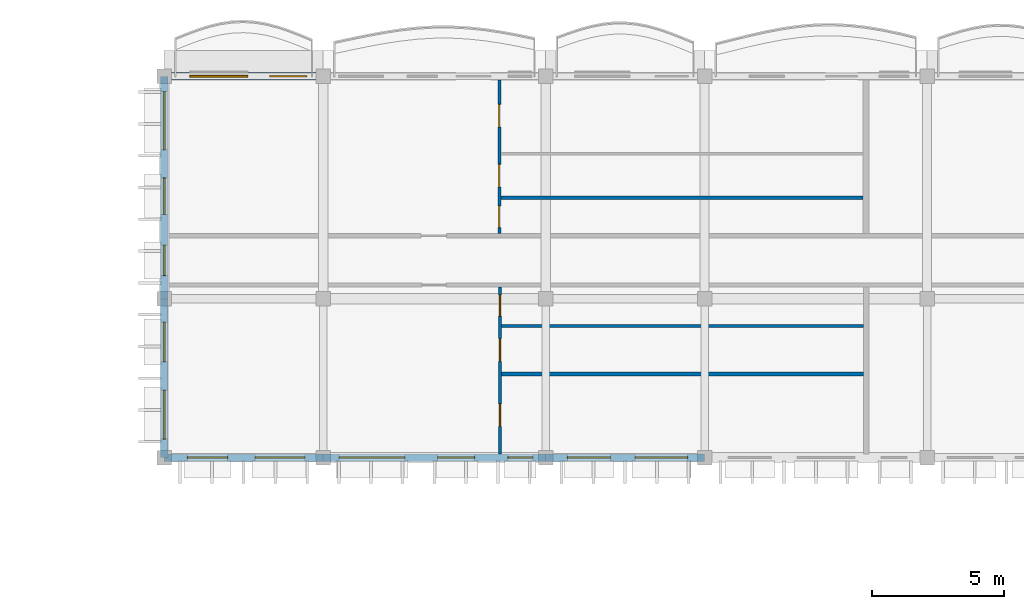
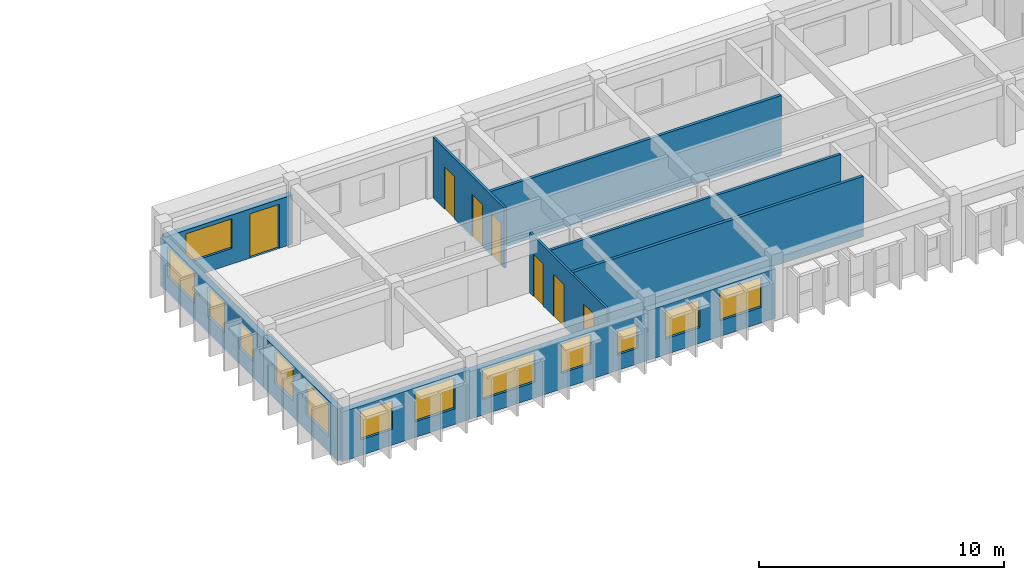
# One storey, part 22 of 59: 13 windows, 11 walls, 7 doors, 20 openings.
"""IFC4 building model written with IfcOpenShell, lengths in metres."""

import ifcopenshell
import ifcopenshell.guid

model = None  # the IFC model being written
_history = None  # IfcOwnerHistory: only IFC2X3 demands one
_inside = {}  # id of a spatial element -> (the spatial element, [elements in it])
_under = {}  # id of a project, library or spatial element -> (it, [spatial elements below it])
_declared = {}  # id of a project -> (the project, [libraries it declares])
_typed = {}  # id of a type object -> (the type object, [elements of that type])
_made_of = {}  # id of a material, layer set ... -> (it, [elements and type objects made of it])


def new_model(schema):
    """Start an empty IFC model of exactly this schema.

    Asked for "IFC4X3", IfcOpenShell would pick the latest addendum, in which some entities
    have other attributes; the version numbers below select the first issue.
    IFC2X3 requires an IfcOwnerHistory on every rooted entity: one is made here for all.
    """
    global model, _history
    if schema == "IFC4X3":
        model = ifcopenshell.file(schema_version=(4, 3, 0, 0))
    else:
        model = ifcopenshell.file(schema=schema)
    _inside.clear()
    _under.clear()
    _declared.clear()
    _typed.clear()
    _made_of.clear()
    _history = None
    if model.schema == "IFC2X3":
        org = make("IfcOrganization", Name="unknown")
        user = make(
            "IfcPersonAndOrganization",
            ThePerson=make("IfcPerson", FamilyName="unknown"),
            TheOrganization=org,
        )
        app = make(
            "IfcApplication",
            ApplicationDeveloper=org,
            Version="unknown",
            ApplicationFullName="unknown",
            ApplicationIdentifier="unknown",
        )
        _history = make(
            "IfcOwnerHistory",
            OwningUser=user,
            OwningApplication=app,
            ChangeAction="ADDED",
            CreationDate=0,
        )
    return model


def make(cls, **values):
    """One entity of the class cls with the attributes given. An attribute that is None is left unset."""
    return model.create_entity(
        cls, **{name: value for name, value in values.items() if value is not None}
    )


def rooted(cls, **values):
    """An entity with a GlobalId (a new one), such as an element, a storey or a relation."""
    return make(cls, GlobalId=ifcopenshell.guid.new(), OwnerHistory=_history, **values)


def si_unit(unit_type, name, prefix=None):
    """IfcSIUnit, for example si_unit("LENGTHUNIT", "METRE", prefix="MILLI")."""
    return make("IfcSIUnit", UnitType=unit_type, Prefix=prefix, Name=name)


def assignment(units):
    """IfcUnitAssignment: the units of a project."""
    return None if units is None else make("IfcUnitAssignment", Units=units)


def point(xyz):
    """IfcCartesianPoint."""
    return None if xyz is None else make("IfcCartesianPoint", Coordinates=xyz)


def direction(xyz):
    """IfcDirection."""
    return None if xyz is None else make("IfcDirection", DirectionRatios=xyz)


def frame(location, z_axis=None, x_axis=None):
    """IfcAxis2Placement3D, a coordinate frame: its origin and axes. An axis left out is left unset."""
    return make(
        "IfcAxis2Placement3D",
        Location=point(location),
        Axis=direction(z_axis),
        RefDirection=direction(x_axis),
    )


def frame_2d(location, x_axis=None):
    """IfcAxis2Placement2D, a coordinate frame in the plane: its origin and x axis."""
    return make(
        "IfcAxis2Placement2D", Location=point(location), RefDirection=direction(x_axis)
    )


def origin():
    """The frame at (0, 0, 0) with its axes left unset."""
    return frame((0.0, 0.0, 0.0))


def place(relative_to, where):
    """IfcLocalPlacement: puts the frame where relative to a parent placement (None: the world)."""
    return make(
        "IfcLocalPlacement", PlacementRelTo=relative_to, RelativePlacement=where
    )


def context(
    kind, dimensions, precision=None, world=None, true_north=None, identifier=None
):
    """IfcGeometricRepresentationContext, for example the 3D "Model" context."""
    return make(
        "IfcGeometricRepresentationContext",
        ContextIdentifier=identifier,
        ContextType=kind,
        CoordinateSpaceDimension=dimensions,
        Precision=precision,
        WorldCoordinateSystem=world,
        TrueNorth=true_north,
    )


def subcontext(parent, identifier, kind, view, scale=None):
    """IfcGeometricRepresentationSubContext, for example "Body" below "Model"."""
    return make(
        "IfcGeometricRepresentationSubContext",
        ContextIdentifier=identifier,
        ContextType=kind,
        ParentContext=parent,
        TargetScale=scale,
        TargetView=view,
    )


def project(units=None, contexts=None):
    """IfcProject with its units and contexts."""
    return rooted(
        "IfcProject",
        Name="project",
        RepresentationContexts=contexts,
        UnitsInContext=assignment(units),
    )


def spatial(cls, under=None, at=None, **own):
    """A site, building, storey or space (cls), placed at a placement, below another one or the project."""
    s = rooted(cls, ObjectPlacement=at, **own)
    if under is not None:
        _under.setdefault(under.id(), (under, []))[1].append(s)
    return s


def profile(cls, at=None, kind="AREA", **sizes):
    """A parametric profile (cls). Its sizes go by their IFC names, for example OverallWidth=200.0."""
    return make(cls, ProfileType=kind, Position=at, **sizes)


def rectangle(**sizes):
    """IfcRectangleProfileDef."""
    return profile("IfcRectangleProfileDef", **sizes)


def extrude(swept, where, along, depth):
    """IfcExtrudedAreaSolid: the profile swept, set in the frame where, extruded along a direction by depth."""
    return make(
        "IfcExtrudedAreaSolid",
        SweptArea=swept,
        Position=where,
        ExtrudedDirection=direction(along),
        Depth=depth,
    )


def shape(context_of_items, identifier, shape_type, items):
    """IfcShapeRepresentation: the items that make up one representation, for example the "Body"."""
    return make(
        "IfcShapeRepresentation",
        ContextOfItems=context_of_items,
        RepresentationIdentifier=identifier,
        RepresentationType=shape_type,
        Items=items,
    )


def material(Name=None, Category=None):
    """IfcMaterial."""
    return make("IfcMaterial", Name=Name, Category=Category)


def layer(
    of_material, thickness, ventilated=None, Name=None, Category=None, Priority=None
):
    """IfcMaterialLayer: one layer of a wall or slab, of a material (None: an air gap)."""
    return make(
        "IfcMaterialLayer",
        Material=of_material,
        LayerThickness=thickness,
        IsVentilated=ventilated,
        Name=Name,
        Category=Category,
        Priority=Priority,
    )


def layer_set(layers, Name=None):
    """IfcMaterialLayerSet."""
    return make("IfcMaterialLayerSet", MaterialLayers=layers, LayerSetName=Name)


def made_of(thing, what):
    """Note that an element or type object is made of a material, layer set ...; save() writes the relation."""
    if what is not None:
        _made_of.setdefault(what.id(), (what, []))[1].append(thing)
    return thing


def type_object(cls, material=None, **own):
    """A type object (cls), such as IfcWallType, which elements share."""
    return made_of(rooted(cls, **own), material)


def element(
    cls,
    number,
    at=None,
    inside=None,
    cuts=None,
    type_object=None,
    material=None,
    context=None,
    identifier="Body",
    shape_type=None,
    held_by="IfcProductDefinitionShape",
    body=None,
    shapes=None,
    **own,
):
    """One element of the class cls, such as IfcWall. Its Tag is "e" and its number.

    at: its placement. inside: the storey or other place that contains it. cuts: it is an
    opening in that element (IfcRelVoidsElement). A single representation is given by context,
    identifier, shape_type and body (its items); several are given by shapes. held_by: the class
    of the entity that holds the representations. save() writes the other relations.
    """
    e = rooted(cls, Tag="e%d" % number, ObjectPlacement=at, **own)
    if body is not None:
        shapes = [shape(context, identifier, shape_type, body)]
    if shapes is not None:
        e.Representation = make(held_by, Representations=shapes)
    if inside is not None:
        _inside.setdefault(inside.id(), (inside, []))[1].append(e)
    if cuts is not None:
        rooted(
            "IfcRelVoidsElement", RelatingBuildingElement=cuts, RelatedOpeningElement=e
        )
    if type_object is not None:
        _typed.setdefault(type_object.id(), (type_object, []))[1].append(e)
    return made_of(e, material)


def fill(opening, filler):
    """IfcRelFillsElement: the door or window that sits in an opening."""
    return rooted(
        "IfcRelFillsElement",
        RelatingOpeningElement=opening,
        RelatedBuildingElement=filler,
    )


def aggregate(whole, parts):
    """IfcRelAggregates: a whole, such as a stair, and the parts it consists of."""
    return rooted("IfcRelAggregates", RelatingObject=whole, RelatedObjects=parts)


def save(model, path):
    """Write the relations noted so far, then the file.

    IfcRelAggregates (storeys below a building ...), IfcRelContainedInSpatialStructure (elements
    in a storey), IfcRelDefinesByType, IfcRelAssociatesMaterial and IfcRelDeclares: one each for
    every whole, place, type object, material and project.
    """
    for whole, parts in _under.values():
        aggregate(whole, parts)
    for where, things in _inside.values():
        rooted(
            "IfcRelContainedInSpatialStructure",
            RelatedElements=things,
            RelatingStructure=where,
        )
    for kind, things in _typed.values():
        rooted("IfcRelDefinesByType", RelatedObjects=things, RelatingType=kind)
    for what, things in _made_of.values():
        rooted("IfcRelAssociatesMaterial", RelatedObjects=things, RelatingMaterial=what)
    for by, libraries in _declared.values():
        rooted("IfcRelDeclares", RelatingContext=by, RelatedDefinitions=libraries)
    model.write(path)


model = new_model("IFC4")

# Units and contexts
model_context = context("Model", 3, precision=1e-05, world=origin(), true_north=direction((0.0, 1.0)))
body_context = subcontext(model_context, "Body", "Model", "MODEL_VIEW")
ifc_project = project(units=[si_unit("LENGTHUNIT", "METRE"), si_unit("AREAUNIT", "SQUARE_METRE"), si_unit("VOLUMEUNIT", "CUBIC_METRE"), si_unit("PLANEANGLEUNIT", "RADIAN"), si_unit("MASSUNIT", "GRAM", prefix="KILO"), si_unit("THERMODYNAMICTEMPERATUREUNIT", "KELVIN")], contexts=[model_context])

# Site, building, storey
site_placement = place(None, origin())
site = spatial("IfcSite", under=ifc_project, at=site_placement, CompositionType="ELEMENT")
building_placement = place(site_placement, origin())
building = spatial("IfcBuilding", under=site, at=building_placement, Name="Thalorik Housing Commons", CompositionType="ELEMENT")
storey_placement = place(building_placement, frame((0.0, 0.0, 27.89990234375)))
storey = spatial("IfcBuildingStorey", under=building, at=storey_placement, Name="L08", CompositionType="ELEMENT", Elevation=27.89990234375)

# Wall, openings, door, window
ifc_material_1 = material(Name="White precast concrete C40/50", Category="concrete")
ifc_layer_1 = layer(ifc_material_1, 0.27490234375, Name="White precast concrete C40/50", Category="concrete")
ifc_layer_set_1 = layer_set([ifc_layer_1], Name="White precast concrete C40/50")
wall_type_1 = type_object("IfcWallType", Name="ARC-WAL-EXT-275", PredefinedType="STANDARD", material=ifc_layer_set_1)
wall_1_placement = place(storey_placement, frame((86.39990234375, 123.60009765625, 0.0), z_axis=(0.0, 0.0, 1.0), x_axis=(-1.0, 0.0, 0.0)))
wall_1 = element("IfcWall", 1, at=wall_1_placement, inside=storey, type_object=wall_type_1, Name="L08 Exterior Wall WAL-EXT-L08-B-0684", PredefinedType="STANDARD", context=body_context, shape_type="SweptSolid", body=[
    extrude(rectangle(XDim=6.0, YDim=0.27490234375, at=frame_2d((3.0, 0.0))), origin(), (0.0, 0.0, 1.0), 2.445068359375),
])
opening_1_placement = place(wall_1_placement, frame((0.6201171875, 0.0, 0.0)))
opening_1 = element("IfcOpeningElement", 2, at=opening_1_placement, cuts=wall_1, Name="Opening ED-0231", PredefinedType="OPENING", context=body_context, shape_type="SweptSolid", body=[
    extrude(rectangle(XDim=1.39990234375, YDim=2.199951171875, at=frame_2d((0.699951171875, 1.10009765625))), frame((0.0, 0.1474609375, 0.0), z_axis=(0.0, -1.0, 0.0), x_axis=(1.0, 0.0, 0.0)), (0.0, 0.0, 1.0), 0.294921875),
])
opening_2_placement = place(wall_1_placement, frame((2.85009765625, 0.0, 0.780029296875)))
opening_2 = element("IfcOpeningElement", 3, at=opening_2_placement, cuts=wall_1, Name="Opening W-65", PredefinedType="OPENING", context=body_context, shape_type="SweptSolid", body=[
    extrude(rectangle(XDim=2.179931640625, YDim=1.47998046875, at=frame_2d((1.08984375, 0.739990234375))), frame((0.0, 0.1474609375, 0.0), z_axis=(0.0, -1.0, 0.0), x_axis=(1.0, 0.0, 0.0)), (0.0, 0.0, 1.0), 0.294921875),
])
ifc_material_2 = material(Name="Anodised aluminium and laminated safety glass", Category="aluminium")
door_type_1 = type_object("IfcDoorType", Name="ARC-DR-BAL-1400", OperationType="NOTDEFINED", PredefinedType="DOOR", material=ifc_material_2)
door_1_placement = place(opening_1_placement, frame((1.39990234375, 0.0, 0.0), z_axis=(0.0, 0.0, 1.0), x_axis=(-1.0, 0.0, 0.0)))
door_1 = element("IfcDoor", 4, at=door_1_placement, inside=storey, type_object=door_type_1, Name="L08 Block B Balcony Glazed Door", OperationType="SLIDING_TO_LEFT", OverallHeight=2.199951171875, OverallWidth=1.39990234375, PredefinedType="DOOR", context=body_context, shape_type="SweptSolid", body=[
    extrude(rectangle(XDim=1.39990234375, YDim=2.199951171875, at=frame_2d((0.699951171875, 1.10009765625))), frame((0.0, 0.02490234375, 0.0), z_axis=(0.0, -1.0, 0.0), x_axis=(1.0, 0.0, 0.0)), (0.0, 0.0, 1.0), 0.050048828125),
])
fill(opening_1, door_1)
ifc_material_3 = material(Name="Anodised aluminium and solar-control low-E glass", Category="aluminium")
window_type_1 = type_object("IfcWindowType", Name="ARC-WIN-65", PartitioningType="DOUBLE_PANEL_VERTICAL", PredefinedType="WINDOW", material=ifc_material_3)
window_1_placement = place(opening_2_placement, origin())
window_1 = element("IfcWindow", 5, at=window_1_placement, inside=storey, type_object=window_type_1, Name="L08 Facade Window 1248", OverallHeight=1.47998046875, OverallWidth=2.179931640625, PartitioningType="DOUBLE_PANEL_VERTICAL", PredefinedType="WINDOW", context=body_context, shape_type="SweptSolid", body=[
    extrude(rectangle(XDim=2.179931640625, YDim=1.47998046875, at=frame_2d((1.08984375, 0.739990234375))), frame((0.0, 0.030029296875, 0.0), z_axis=(0.0, -1.0, 0.0), x_axis=(1.0, 0.0, 0.0)), (0.0, 0.0, 1.0), 0.06005859375),
])
fill(opening_2, window_1)

# Wall, openings, windows
wall_2_placement = place(storey_placement, frame((80.39990234375, 123.60009765625, 0.0), z_axis=(0.0, 0.0, 1.0), x_axis=(0.0, -1.0, 0.0)))
wall_2 = element("IfcWall", 6, at=wall_2_placement, inside=storey, type_object=wall_type_1, Name="L08 Exterior Wall WAL-EXT-L08-B-0685", PredefinedType="STANDARD", context=body_context, shape_type="SweptSolid", body=[
    extrude(rectangle(XDim=8.400146484375, YDim=0.27490234375, at=frame_2d((4.2001953125, 0.0))), origin(), (0.0, 0.0, 1.0), 2.425048828125),
])
opening_3_placement = place(wall_2_placement, frame((0.58251953125, 0.0, 0.780029296875)))
opening_3 = element("IfcOpeningElement", 7, at=opening_3_placement, cuts=wall_2, Name="Opening W-29", PredefinedType="OPENING", context=body_context, shape_type="SweptSolid", body=[
    extrude(rectangle(XDim=2.199951171875, YDim=1.5, at=frame_2d((1.10009765625, 0.75))), frame((0.0, 0.1474609375, 0.0), z_axis=(0.0, -1.0, 0.0), x_axis=(1.0, 0.0, 0.0)), (0.0, 0.0, 1.0), 0.294921875),
])
opening_4_placement = place(wall_2_placement, frame((3.83740234375, 0.0, 0.780029296875)))
opening_4 = element("IfcOpeningElement", 8, at=opening_4_placement, cuts=wall_2, Name="Opening W-49", PredefinedType="OPENING", context=body_context, shape_type="SweptSolid", body=[
    extrude(rectangle(XDim=1.3798828125, YDim=1.47998046875, at=frame_2d((0.68994140625, 0.739990234375))), frame((0.0, 0.1474609375, 0.0), z_axis=(0.0, -1.0, 0.0), x_axis=(1.0, 0.0, 0.0)), (0.0, 0.0, 1.0), 0.294921875),
])
opening_5_placement = place(wall_2_placement, frame((6.375, 0.0, 0.780029296875)))
opening_5 = element("IfcOpeningElement", 9, at=opening_5_placement, cuts=wall_2, Name="Opening W-45", PredefinedType="OPENING", context=body_context, shape_type="SweptSolid", body=[
    extrude(rectangle(XDim=1.14990234375, YDim=1.25, at=frame_2d((0.574951171875, 0.625))), frame((0.0, 0.1474609375, 0.0), z_axis=(0.0, -1.0, 0.0), x_axis=(1.0, 0.0, 0.0)), (0.0, 0.0, 1.0), 0.294921875),
])
window_type_2 = type_object("IfcWindowType", Name="ARC-WIN-29", PartitioningType="DOUBLE_PANEL_VERTICAL", PredefinedType="WINDOW", material=ifc_material_3)
window_2_placement = place(opening_3_placement, origin())
window_2 = element("IfcWindow", 10, at=window_2_placement, inside=storey, type_object=window_type_2, Name="L08 Facade Window 1249", OverallHeight=1.5, OverallWidth=2.199951171875, PartitioningType="DOUBLE_PANEL_VERTICAL", PredefinedType="WINDOW", context=body_context, shape_type="SweptSolid", body=[
    extrude(rectangle(XDim=2.199951171875, YDim=1.5, at=frame_2d((1.10009765625, 0.75))), frame((0.0, 0.030029296875, 0.0), z_axis=(0.0, -1.0, 0.0), x_axis=(1.0, 0.0, 0.0)), (0.0, 0.0, 1.0), 0.06005859375),
])
fill(opening_3, window_2)
window_type_3 = type_object("IfcWindowType", Name="ARC-WIN-45", PartitioningType="SINGLE_PANEL", PredefinedType="WINDOW", material=ifc_material_3)
window_3_placement = place(opening_5_placement, origin())
window_3 = element("IfcWindow", 11, at=window_3_placement, inside=storey, type_object=window_type_3, Name="L08 Facade Window 1251", OverallHeight=1.25, OverallWidth=1.14990234375, PartitioningType="SINGLE_PANEL", PredefinedType="WINDOW", context=body_context, shape_type="SweptSolid", body=[
    extrude(rectangle(XDim=1.14990234375, YDim=1.25, at=frame_2d((0.574951171875, 0.625))), frame((0.0, 0.030029296875, 0.0), z_axis=(0.0, -1.0, 0.0), x_axis=(1.0, 0.0, 0.0)), (0.0, 0.0, 1.0), 0.06005859375),
])
fill(opening_5, window_3)
window_type_4 = type_object("IfcWindowType", Name="ARC-WIN-49", PartitioningType="SINGLE_PANEL", PredefinedType="WINDOW", material=ifc_material_3)
window_4_placement = place(opening_4_placement, origin())
window_4 = element("IfcWindow", 12, at=window_4_placement, inside=storey, type_object=window_type_4, Name="L08 Facade Window 1250", OverallHeight=1.47998046875, OverallWidth=1.3798828125, PartitioningType="SINGLE_PANEL", PredefinedType="WINDOW", context=body_context, shape_type="SweptSolid", body=[
    extrude(rectangle(XDim=1.3798828125, YDim=1.47998046875, at=frame_2d((0.68994140625, 0.739990234375))), frame((0.0, 0.030029296875, 0.0), z_axis=(0.0, -1.0, 0.0), x_axis=(1.0, 0.0, 0.0)), (0.0, 0.0, 1.0), 0.06005859375),
])
fill(opening_4, window_4)

wall_3_placement = place(storey_placement, frame((80.39990234375, 115.199951171875, 0.0), z_axis=(0.0, 0.0, 1.0), x_axis=(0.0, -1.0, 0.0)))
wall_3 = element("IfcWall", 13, at=wall_3_placement, inside=storey, type_object=wall_type_1, Name="L08 Exterior Wall WAL-EXT-L08-B-0686", PredefinedType="STANDARD", context=body_context, shape_type="SweptSolid", body=[
    extrude(rectangle(XDim=6.0, YDim=0.27490234375, at=frame_2d((3.0, 0.0))), origin(), (0.0, 0.0, 1.0), 2.5751953125),
])
opening_6_placement = place(wall_3_placement, frame((0.8798828125, 0.0, 0.780029296875)))
opening_6 = element("IfcOpeningElement", 14, at=opening_6_placement, cuts=wall_3, Name="Opening W-11", PredefinedType="OPENING", context=body_context, shape_type="SweptSolid", body=[
    extrude(rectangle(XDim=1.5, YDim=1.64990234375, at=frame_2d((0.75, 0.824951171875))), frame((0.0, 0.1474609375, 0.0), z_axis=(0.0, -1.0, 0.0), x_axis=(1.0, 0.0, 0.0)), (0.0, 0.0, 1.0), 0.294921875),
])
opening_7_placement = place(wall_3_placement, frame((3.445068359375, 0.0, 0.780029296875)))
opening_7 = element("IfcOpeningElement", 15, at=opening_7_placement, cuts=wall_3, Name="Opening W-20", PredefinedType="OPENING", context=body_context, shape_type="SweptSolid", body=[
    extrude(rectangle(XDim=1.85009765625, YDim=1.60009765625, at=frame_2d((0.925048828125, 0.800048828125))), frame((0.0, 0.1474609375, 0.0), z_axis=(0.0, -1.0, 0.0), x_axis=(1.0, 0.0, 0.0)), (0.0, 0.0, 1.0), 0.294921875),
])
window_type_5 = type_object("IfcWindowType", Name="ARC-WIN-11", PartitioningType="SINGLE_PANEL", PredefinedType="WINDOW", material=ifc_material_3)
window_5_placement = place(opening_6_placement, origin())
window_5 = element("IfcWindow", 16, at=window_5_placement, inside=storey, type_object=window_type_5, Name="L08 Facade Window 1252", OverallHeight=1.64990234375, OverallWidth=1.5, PartitioningType="SINGLE_PANEL", PredefinedType="WINDOW", context=body_context, shape_type="SweptSolid", body=[
    extrude(rectangle(XDim=1.5, YDim=1.64990234375, at=frame_2d((0.75, 0.824951171875))), frame((0.0, 0.030029296875, 0.0), z_axis=(0.0, -1.0, 0.0), x_axis=(1.0, 0.0, 0.0)), (0.0, 0.0, 1.0), 0.06005859375),
])
fill(opening_6, window_5)
window_type_6 = type_object("IfcWindowType", Name="ARC-WIN-20", PartitioningType="DOUBLE_PANEL_VERTICAL", PredefinedType="WINDOW", material=ifc_material_3)
window_6_placement = place(opening_7_placement, origin())
window_6 = element("IfcWindow", 17, at=window_6_placement, inside=storey, type_object=window_type_6, Name="L08 Facade Window 1253", OverallHeight=1.60009765625, OverallWidth=1.85009765625, PartitioningType="DOUBLE_PANEL_VERTICAL", PredefinedType="WINDOW", context=body_context, shape_type="SweptSolid", body=[
    extrude(rectangle(XDim=1.85009765625, YDim=1.60009765625, at=frame_2d((0.925048828125, 0.800048828125))), frame((0.0, 0.030029296875, 0.0), z_axis=(0.0, -1.0, 0.0), x_axis=(1.0, 0.0, 0.0)), (0.0, 0.0, 1.0), 0.06005859375),
])
fill(opening_7, window_6)

wall_4_placement = place(storey_placement, frame((80.39990234375, 109.199951171875, 0.0), z_axis=(0.0, 0.0, 1.0), x_axis=(1.0, 0.0, 0.0)))
wall_4 = element("IfcWall", 18, at=wall_4_placement, inside=storey, type_object=wall_type_1, Name="L08 Exterior Wall WAL-EXT-L08-B-0687", PredefinedType="STANDARD", context=body_context, shape_type="SweptSolid", body=[
    extrude(rectangle(XDim=6.0, YDim=0.27490234375, at=frame_2d((3.0, 0.0))), origin(), (0.0, 0.0, 1.0), 2.47509765625),
])
opening_8_placement = place(wall_4_placement, frame((0.8701171875, 0.0, 0.780029296875)))
opening_8 = element("IfcOpeningElement", 19, at=opening_8_placement, cuts=wall_4, Name="Opening W-52", PredefinedType="OPENING", context=body_context, shape_type="SweptSolid", body=[
    extrude(rectangle(XDim=1.52001953125, YDim=1.419921875, at=frame_2d((0.760009765625, 0.7099609375))), frame((0.0, 0.1474609375, 0.0), z_axis=(0.0, -1.0, 0.0), x_axis=(1.0, 0.0, 0.0)), (0.0, 0.0, 1.0), 0.294921875),
])
opening_9_placement = place(wall_4_placement, frame((3.429931640625, 0.0, 0.780029296875)))
opening_9 = element("IfcOpeningElement", 20, at=opening_9_placement, cuts=wall_4, Name="Opening W-59", PredefinedType="OPENING", context=body_context, shape_type="SweptSolid", body=[
    extrude(rectangle(XDim=1.8798828125, YDim=1.52001953125, at=frame_2d((0.93994140625, 0.760009765625))), frame((0.0, 0.1474609375, 0.0), z_axis=(0.0, -1.0, 0.0), x_axis=(1.0, 0.0, 0.0)), (0.0, 0.0, 1.0), 0.294921875),
])
window_type_7 = type_object("IfcWindowType", Name="ARC-WIN-52", PartitioningType="SINGLE_PANEL", PredefinedType="WINDOW", material=ifc_material_3)
window_7_placement = place(opening_8_placement, origin())
window_7 = element("IfcWindow", 21, at=window_7_placement, inside=storey, type_object=window_type_7, Name="L08 Facade Window 1254", OverallHeight=1.419921875, OverallWidth=1.52001953125, PartitioningType="SINGLE_PANEL", PredefinedType="WINDOW", context=body_context, shape_type="SweptSolid", body=[
    extrude(rectangle(XDim=1.52001953125, YDim=1.419921875, at=frame_2d((0.760009765625, 0.7099609375))), frame((0.0, 0.030029296875, 0.0), z_axis=(0.0, -1.0, 0.0), x_axis=(1.0, 0.0, 0.0)), (0.0, 0.0, 1.0), 0.06005859375),
])
fill(opening_8, window_7)
window_type_8 = type_object("IfcWindowType", Name="ARC-WIN-59", PartitioningType="DOUBLE_PANEL_VERTICAL", PredefinedType="WINDOW", material=ifc_material_3)
window_8_placement = place(opening_9_placement, origin())
window_8 = element("IfcWindow", 22, at=window_8_placement, inside=storey, type_object=window_type_8, Name="L08 Facade Window 1255", OverallHeight=1.52001953125, OverallWidth=1.8798828125, PartitioningType="DOUBLE_PANEL_VERTICAL", PredefinedType="WINDOW", context=body_context, shape_type="SweptSolid", body=[
    extrude(rectangle(XDim=1.8798828125, YDim=1.52001953125, at=frame_2d((0.93994140625, 0.760009765625))), frame((0.0, 0.030029296875, 0.0), z_axis=(0.0, -1.0, 0.0), x_axis=(1.0, 0.0, 0.0)), (0.0, 0.0, 1.0), 0.06005859375),
])
fill(opening_9, window_8)

wall_5_placement = place(storey_placement, frame((86.39990234375, 109.199951171875, 0.0), z_axis=(0.0, 0.0, 1.0), x_axis=(1.0, 0.0, 0.0)))
wall_5 = element("IfcWall", 23, at=wall_5_placement, inside=storey, type_object=wall_type_1, Name="L08 Exterior Wall WAL-EXT-L08-B-0688", PredefinedType="STANDARD", context=body_context, shape_type="SweptSolid", body=[
    extrude(rectangle(XDim=8.400146484375, YDim=0.27490234375, at=frame_2d((4.2001953125, 0.0))), origin(), (0.0, 0.0, 1.0), 2.375),
])
opening_10_placement = place(wall_5_placement, frame((0.607421875, 0.0, 0.780029296875)))
opening_10 = element("IfcOpeningElement", 24, at=opening_10_placement, cuts=wall_5, Name="Opening W-71", PredefinedType="OPENING", context=body_context, shape_type="SweptSolid", body=[
    extrude(rectangle(XDim=2.47998046875, YDim=1.4599609375, at=frame_2d((1.239990234375, 0.72998046875))), frame((0.0, 0.1474609375, 0.0), z_axis=(0.0, -1.0, 0.0), x_axis=(1.0, 0.0, 0.0)), (0.0, 0.0, 1.0), 0.294921875),
])
opening_11_placement = place(wall_5_placement, frame((4.322509765625, 0.0, 0.780029296875)))
opening_11 = element("IfcOpeningElement", 25, at=opening_11_placement, cuts=wall_5, Name="Opening W-08", PredefinedType="OPENING", context=body_context, shape_type="SweptSolid", body=[
    extrude(rectangle(XDim=1.39990234375, YDim=1.449951171875, at=frame_2d((0.699951171875, 0.72509765625))), frame((0.0, 0.1474609375, 0.0), z_axis=(0.0, -1.0, 0.0), x_axis=(1.0, 0.0, 0.0)), (0.0, 0.0, 1.0), 0.294921875),
])
opening_12_placement = place(wall_5_placement, frame((6.969970703125, 0.0, 0.780029296875)))
opening_12 = element("IfcOpeningElement", 26, at=opening_12_placement, cuts=wall_5, Name="Opening W-43", PredefinedType="OPENING", context=body_context, shape_type="SweptSolid", body=[
    extrude(rectangle(XDim=0.949951171875, YDim=1.14990234375, at=frame_2d((0.47509765625, 0.574951171875))), frame((0.0, 0.1474609375, 0.0), z_axis=(0.0, -1.0, 0.0), x_axis=(1.0, 0.0, 0.0)), (0.0, 0.0, 1.0), 0.294921875),
])
window_type_9 = type_object("IfcWindowType", Name="ARC-WIN-08", PartitioningType="SINGLE_PANEL", PredefinedType="WINDOW", material=ifc_material_3)
window_9_placement = place(opening_11_placement, origin())
window_9 = element("IfcWindow", 27, at=window_9_placement, inside=storey, type_object=window_type_9, Name="L08 Facade Window 1257", OverallHeight=1.449951171875, OverallWidth=1.39990234375, PartitioningType="SINGLE_PANEL", PredefinedType="WINDOW", context=body_context, shape_type="SweptSolid", body=[
    extrude(rectangle(XDim=1.39990234375, YDim=1.449951171875, at=frame_2d((0.699951171875, 0.72509765625))), frame((0.0, 0.030029296875, 0.0), z_axis=(0.0, -1.0, 0.0), x_axis=(1.0, 0.0, 0.0)), (0.0, 0.0, 1.0), 0.06005859375),
])
fill(opening_11, window_9)
window_type_10 = type_object("IfcWindowType", Name="ARC-WIN-43", PartitioningType="SINGLE_PANEL", PredefinedType="WINDOW", material=ifc_material_3)
window_10_placement = place(opening_12_placement, origin())
window_10 = element("IfcWindow", 28, at=window_10_placement, inside=storey, type_object=window_type_10, Name="L08 Facade Window 1258", OverallHeight=1.14990234375, OverallWidth=0.949951171875, PartitioningType="SINGLE_PANEL", PredefinedType="WINDOW", context=body_context, shape_type="SweptSolid", body=[
    extrude(rectangle(XDim=0.949951171875, YDim=1.14990234375, at=frame_2d((0.47509765625, 0.574951171875))), frame((0.0, 0.030029296875, 0.0), z_axis=(0.0, -1.0, 0.0), x_axis=(1.0, 0.0, 0.0)), (0.0, 0.0, 1.0), 0.06005859375),
])
fill(opening_12, window_10)
window_type_11 = type_object("IfcWindowType", Name="ARC-WIN-71", PartitioningType="DOUBLE_PANEL_VERTICAL", PredefinedType="WINDOW", material=ifc_material_3)
window_11_placement = place(opening_10_placement, origin())
window_11 = element("IfcWindow", 29, at=window_11_placement, inside=storey, type_object=window_type_11, Name="L08 Facade Window 1256", OverallHeight=1.4599609375, OverallWidth=2.47998046875, PartitioningType="DOUBLE_PANEL_VERTICAL", PredefinedType="WINDOW", context=body_context, shape_type="SweptSolid", body=[
    extrude(rectangle(XDim=2.47998046875, YDim=1.4599609375, at=frame_2d((1.239990234375, 0.72998046875))), frame((0.0, 0.030029296875, 0.0), z_axis=(0.0, -1.0, 0.0), x_axis=(1.0, 0.0, 0.0)), (0.0, 0.0, 1.0), 0.06005859375),
])
fill(opening_10, window_11)

wall_6_placement = place(storey_placement, frame((94.800048828125, 109.199951171875, 0.0), z_axis=(0.0, 0.0, 1.0), x_axis=(1.0, 0.0, 0.0)))
wall_6 = element("IfcWall", 30, at=wall_6_placement, inside=storey, type_object=wall_type_1, Name="L08 Exterior Wall WAL-EXT-L08-B-0689", PredefinedType="STANDARD", context=body_context, shape_type="SweptSolid", body=[
    extrude(rectangle(XDim=6.0, YDim=0.27490234375, at=frame_2d((3.0, 0.0))), origin(), (0.0, 0.0, 1.0), 2.47509765625),
])
opening_13_placement = place(wall_6_placement, frame((0.820068359375, 0.0, 0.780029296875)))
opening_13 = element("IfcOpeningElement", 31, at=opening_13_placement, cuts=wall_6, Name="Opening W-54", PredefinedType="OPENING", context=body_context, shape_type="SweptSolid", body=[
    extrude(rectangle(XDim=1.6201171875, YDim=1.3798828125, at=frame_2d((0.81005859375, 0.68994140625))), frame((0.0, 0.1474609375, 0.0), z_axis=(0.0, -1.0, 0.0), x_axis=(1.0, 0.0, 0.0)), (0.0, 0.0, 1.0), 0.294921875),
])
opening_14_placement = place(wall_6_placement, frame((3.3798828125, 0.0, 0.780029296875)))
opening_14 = element("IfcOpeningElement", 32, at=opening_14_placement, cuts=wall_6, Name="Opening W-61", PredefinedType="OPENING", context=body_context, shape_type="SweptSolid", body=[
    extrude(rectangle(XDim=1.97998046875, YDim=1.5, at=frame_2d((0.989990234375, 0.75))), frame((0.0, 0.1474609375, 0.0), z_axis=(0.0, -1.0, 0.0), x_axis=(1.0, 0.0, 0.0)), (0.0, 0.0, 1.0), 0.294921875),
])
window_type_12 = type_object("IfcWindowType", Name="ARC-WIN-54", PartitioningType="DOUBLE_PANEL_VERTICAL", PredefinedType="WINDOW", material=ifc_material_3)
window_12_placement = place(opening_13_placement, origin())
window_12 = element("IfcWindow", 33, at=window_12_placement, inside=storey, type_object=window_type_12, Name="L08 Facade Window 1259", OverallHeight=1.3798828125, OverallWidth=1.6201171875, PartitioningType="DOUBLE_PANEL_VERTICAL", PredefinedType="WINDOW", context=body_context, shape_type="SweptSolid", body=[
    extrude(rectangle(XDim=1.6201171875, YDim=1.3798828125, at=frame_2d((0.81005859375, 0.68994140625))), frame((0.0, 0.030029296875, 0.0), z_axis=(0.0, -1.0, 0.0), x_axis=(1.0, 0.0, 0.0)), (0.0, 0.0, 1.0), 0.06005859375),
])
fill(opening_13, window_12)
window_type_13 = type_object("IfcWindowType", Name="ARC-WIN-61", PartitioningType="DOUBLE_PANEL_VERTICAL", PredefinedType="WINDOW", material=ifc_material_3)
window_13_placement = place(opening_14_placement, origin())
window_13 = element("IfcWindow", 34, at=window_13_placement, inside=storey, type_object=window_type_13, Name="L08 Facade Window 1260", OverallHeight=1.5, OverallWidth=1.97998046875, PartitioningType="DOUBLE_PANEL_VERTICAL", PredefinedType="WINDOW", context=body_context, shape_type="SweptSolid", body=[
    extrude(rectangle(XDim=1.97998046875, YDim=1.5, at=frame_2d((0.989990234375, 0.75))), frame((0.0, 0.030029296875, 0.0), z_axis=(0.0, -1.0, 0.0), x_axis=(1.0, 0.0, 0.0)), (0.0, 0.0, 1.0), 0.06005859375),
])
fill(opening_14, window_13)

# Wall, openings, doors
ifc_material_4 = material(Name="Gypsum light stud partition", Category="masonry")
ifc_layer_2 = layer(ifc_material_4, 0.10009765625, Name="Gypsum light stud partition", Category="masonry")
ifc_layer_set_2 = layer_set([ifc_layer_2], Name="Gypsum light stud partition")
wall_type_2 = type_object("IfcWallType", Name="ARC-WAL-PART-100", PredefinedType="PARTITIONING", material=ifc_layer_set_2)
wall_7_placement = place(storey_placement, frame((93.080078125, 109.339599609375, 0.0), z_axis=(0.0, 0.0, 1.0), x_axis=(0.0, 1.0, 0.0)))
wall_7 = element("IfcWall", 35, at=wall_7_placement, inside=storey, type_object=wall_type_2, Name="L08 Unit 1 Spine Partition", PredefinedType="PARTITIONING", context=body_context, shape_type="SweptSolid", body=[
    extrude(rectangle(XDim=6.303466796875, YDim=0.10009765625, at=frame_2d((3.15185546875, 0.0))), origin(), (0.0, 0.0, 1.0), 3.0),
])
opening_15_placement = place(wall_7_placement, frame((1.0458984375, 0.0, 0.0)))
opening_15 = element("IfcOpeningElement", 36, at=opening_15_placement, cuts=wall_7, Name="Opening ID-1334", PredefinedType="OPENING", context=body_context, shape_type="SweptSolid", body=[
    extrude(rectangle(XDim=0.85009765625, YDim=2.10009765625, at=frame_2d((0.425048828125, 1.050048828125))), frame((0.0, 0.06005859375, 0.0), z_axis=(0.0, -1.0, 0.0), x_axis=(1.0, 0.0, 0.0)), (0.0, 0.0, 1.0), 0.1201171875),
])
opening_16_placement = place(wall_7_placement, frame((3.500732421875, 0.0, 0.0)))
opening_16 = element("IfcOpeningElement", 37, at=opening_16_placement, cuts=wall_7, Name="Opening ID-1335", PredefinedType="OPENING", context=body_context, shape_type="SweptSolid", body=[
    extrude(rectangle(XDim=0.85009765625, YDim=2.10009765625, at=frame_2d((0.425048828125, 1.050048828125))), frame((0.0, 0.06005859375, 0.0), z_axis=(0.0, -1.0, 0.0), x_axis=(1.0, 0.0, 0.0)), (0.0, 0.0, 1.0), 0.1201171875),
])
opening_17_placement = place(wall_7_placement, frame((5.205322265625, 0.0, 0.0)))
opening_17 = element("IfcOpeningElement", 38, at=opening_17_placement, cuts=wall_7, Name="Opening ID-1336", PredefinedType="OPENING", context=body_context, shape_type="SweptSolid", body=[
    extrude(rectangle(XDim=0.800048828125, YDim=2.10009765625, at=frame_2d((0.39990234375, 1.050048828125))), frame((0.0, 0.06005859375, 0.0), z_axis=(0.0, -1.0, 0.0), x_axis=(1.0, 0.0, 0.0)), (0.0, 0.0, 1.0), 0.1201171875),
])
ifc_material_5 = material(Name="Moisture-resistant timber", Category="wood")
door_type_2 = type_object("IfcDoorType", Name="ARC-DR-INT-800", OperationType="NOTDEFINED", PredefinedType="DOOR", material=ifc_material_5)
door_2_placement = place(opening_17_placement, origin())
door_2 = element("IfcDoor", 39, at=door_2_placement, inside=storey, type_object=door_type_2, Name="L08 Flat Bathroom Door", OperationType="SINGLE_SWING_LEFT", OverallHeight=2.10009765625, OverallWidth=0.800048828125, PredefinedType="DOOR", context=body_context, shape_type="SweptSolid", body=[
    extrude(rectangle(XDim=0.800048828125, YDim=2.10009765625, at=frame_2d((0.39990234375, 1.050048828125))), frame((0.0, 0.02490234375, 0.0), z_axis=(0.0, -1.0, 0.0), x_axis=(1.0, 0.0, 0.0)), (0.0, 0.0, 1.0), 0.050048828125),
])
fill(opening_17, door_2)
ifc_material_6 = material(Name="Engineered oak timber", Category="wood")
door_type_3 = type_object("IfcDoorType", Name="ARC-DR-INT-850", OperationType="NOTDEFINED", PredefinedType="DOOR", material=ifc_material_6)
door_3_placement = place(opening_15_placement, origin())
door_3 = element("IfcDoor", 40, at=door_3_placement, inside=storey, type_object=door_type_3, Name="L08 Double Bedroom Door", OperationType="SINGLE_SWING_LEFT", OverallHeight=2.10009765625, OverallWidth=0.85009765625, PredefinedType="DOOR", context=body_context, shape_type="SweptSolid", body=[
    extrude(rectangle(XDim=0.85009765625, YDim=2.10009765625, at=frame_2d((0.425048828125, 1.050048828125))), frame((0.0, 0.02490234375, 0.0), z_axis=(0.0, -1.0, 0.0), x_axis=(1.0, 0.0, 0.0)), (0.0, 0.0, 1.0), 0.050048828125),
])
fill(opening_15, door_3)
door_4_placement = place(opening_16_placement, origin())
door_4 = element("IfcDoor", 41, at=door_4_placement, inside=storey, type_object=door_type_3, Name="L08 Galley Kitchen Door", OperationType="SINGLE_SWING_RIGHT", OverallHeight=2.10009765625, OverallWidth=0.85009765625, PredefinedType="DOOR", context=body_context, shape_type="SweptSolid", body=[
    extrude(rectangle(XDim=0.85009765625, YDim=2.10009765625, at=frame_2d((0.425048828125, 1.050048828125))), frame((0.0, 0.02490234375, 0.0), z_axis=(0.0, -1.0, 0.0), x_axis=(1.0, 0.0, 0.0)), (0.0, 0.0, 1.0), 0.050048828125),
])
fill(opening_16, door_4)

ifc_material_7 = material(Name="Gypsum moisture-resistant partition", Category="masonry")
ifc_layer_3 = layer(ifc_material_7, 0.114990234375, Name="Gypsum moisture-resistant partition", Category="masonry")
ifc_layer_set_3 = layer_set([ifc_layer_3], Name="Gypsum moisture-resistant partition")
wall_type_3 = type_object("IfcWallType", Name="ARC-WAL-PART-115", PredefinedType="PARTITIONING", material=ifc_layer_set_3)
wall_8_placement = place(storey_placement, frame((93.05126953125, 117.66455078125, 0.0), z_axis=(0.0, 0.0, 1.0), x_axis=(0.0, 1.0, 0.0)))
wall_8 = element("IfcWall", 42, at=wall_8_placement, inside=storey, type_object=wall_type_3, Name="L08 Unit 1B Spine Partition", PredefinedType="PARTITIONING", context=body_context, shape_type="SweptSolid", body=[
    extrude(rectangle(XDim=5.7958984375, YDim=0.114990234375, at=frame_2d((2.89794921875, 0.0))), origin(), (0.0, 0.0, 1.0), 3.0),
])
opening_18_placement = place(wall_8_placement, frame((0.230712890625, 0.0, 0.0)))
opening_18 = element("IfcOpeningElement", 43, at=opening_18_placement, cuts=wall_8, Name="Opening ID-1337", PredefinedType="OPENING", context=body_context, shape_type="SweptSolid", body=[
    extrude(rectangle(XDim=0.800048828125, YDim=2.10009765625, at=frame_2d((0.39990234375, 1.050048828125))), frame((0.0, 0.0673828125, 0.0), z_axis=(0.0, -1.0, 0.0), x_axis=(1.0, 0.0, 0.0)), (0.0, 0.0, 1.0), 0.135009765625),
])
opening_19_placement = place(wall_8_placement, frame((1.75537109375, 0.0, 0.0)))
opening_19 = element("IfcOpeningElement", 44, at=opening_19_placement, cuts=wall_8, Name="Opening ID-1338", PredefinedType="OPENING", context=body_context, shape_type="SweptSolid", body=[
    extrude(rectangle(XDim=0.85009765625, YDim=2.10009765625, at=frame_2d((0.425048828125, 1.050048828125))), frame((0.0, 0.0673828125, 0.0), z_axis=(0.0, -1.0, 0.0), x_axis=(1.0, 0.0, 0.0)), (0.0, 0.0, 1.0), 0.135009765625),
])
opening_20_placement = place(wall_8_placement, frame((4.02001953125, 0.0, 0.0)))
opening_20 = element("IfcOpeningElement", 45, at=opening_20_placement, cuts=wall_8, Name="Opening ID-1339", PredefinedType="OPENING", context=body_context, shape_type="SweptSolid", body=[
    extrude(rectangle(XDim=0.85009765625, YDim=2.10009765625, at=frame_2d((0.425048828125, 1.050048828125))), frame((0.0, 0.0673828125, 0.0), z_axis=(0.0, -1.0, 0.0), x_axis=(1.0, 0.0, 0.0)), (0.0, 0.0, 1.0), 0.135009765625),
])
door_5_placement = place(opening_18_placement, origin())
door_5 = element("IfcDoor", 46, at=door_5_placement, inside=storey, type_object=door_type_2, Name="L08 Accessible Bathroom Door", OperationType="SINGLE_SWING_RIGHT", OverallHeight=2.10009765625, OverallWidth=0.800048828125, PredefinedType="DOOR", context=body_context, shape_type="SweptSolid", body=[
    extrude(rectangle(XDim=0.800048828125, YDim=2.10009765625, at=frame_2d((0.39990234375, 1.050048828125))), frame((0.0, 0.02490234375, 0.0), z_axis=(0.0, -1.0, 0.0), x_axis=(1.0, 0.0, 0.0)), (0.0, 0.0, 1.0), 0.050048828125),
])
fill(opening_18, door_5)
door_6_placement = place(opening_19_placement, origin())
door_6 = element("IfcDoor", 47, at=door_6_placement, inside=storey, type_object=door_type_3, Name="L08 Galley Kitchen Door", OperationType="SINGLE_SWING_LEFT", OverallHeight=2.10009765625, OverallWidth=0.85009765625, PredefinedType="DOOR", context=body_context, shape_type="SweptSolid", body=[
    extrude(rectangle(XDim=0.85009765625, YDim=2.10009765625, at=frame_2d((0.425048828125, 1.050048828125))), frame((0.0, 0.02490234375, 0.0), z_axis=(0.0, -1.0, 0.0), x_axis=(1.0, 0.0, 0.0)), (0.0, 0.0, 1.0), 0.050048828125),
])
fill(opening_19, door_6)
door_7_placement = place(opening_20_placement, origin())
door_7 = element("IfcDoor", 48, at=door_7_placement, inside=storey, type_object=door_type_3, Name="L08 Double Bedroom Door", OperationType="SINGLE_SWING_RIGHT", OverallHeight=2.10009765625, OverallWidth=0.85009765625, PredefinedType="DOOR", context=body_context, shape_type="SweptSolid", body=[
    extrude(rectangle(XDim=0.85009765625, YDim=2.10009765625, at=frame_2d((0.425048828125, 1.050048828125))), frame((0.0, 0.02490234375, 0.0), z_axis=(0.0, -1.0, 0.0), x_axis=(1.0, 0.0, 0.0)), (0.0, 0.0, 1.0), 0.050048828125),
])
fill(opening_20, door_7)

# Walls
ifc_material_8 = material(Name="Gypsum acoustic stud partition", Category="masonry")
ifc_layer_4 = layer(ifc_material_8, 0.125, Name="Gypsum acoustic stud partition", Category="masonry")
ifc_layer_set_4 = layer_set([ifc_layer_4], Name="Gypsum acoustic stud partition")
wall_type_4 = type_object("IfcWallType", Name="ARC-WAL-PART-125", PredefinedType="PARTITIONING", material=ifc_layer_set_4)
wall_9_placement = place(storey_placement, frame((93.132080078125, 114.169677734375, 0.0), z_axis=(0.0, 0.0, 1.0), x_axis=(1.0, 0.0, 0.0)))
element("IfcWall", 49, at=wall_9_placement, inside=storey, type_object=wall_type_4, Name="L08 Unit 1 Wet Wall", PredefinedType="PARTITIONING", context=body_context, shape_type="SweptSolid", body=[
    extrude(rectangle(XDim=13.666015625, YDim=0.125, at=frame_2d((6.8330078125, 0.0))), origin(), (0.0, 0.0, 1.0), 3.0),
])
ifc_material_9 = material(Name="Ceramic masonry partition wall", Category="masonry")
ifc_layer_5 = layer(ifc_material_9, 0.139892578125, Name="Ceramic masonry partition wall", Category="masonry")
ifc_layer_set_5 = layer_set([ifc_layer_5], Name="Ceramic masonry partition wall")
wall_type_5 = type_object("IfcWallType", Name="ARC-WAL-PART-140", PredefinedType="PARTITIONING", material=ifc_layer_set_5)
wall_10_placement = place(storey_placement, frame((93.132080078125, 112.36083984375, 0.0), z_axis=(0.0, 0.0, 1.0), x_axis=(1.0, 0.0, 0.0)))
element("IfcWall", 50, at=wall_10_placement, inside=storey, type_object=wall_type_5, Name="L08 Unit 1 Bedroom Partition", PredefinedType="PARTITIONING", context=body_context, shape_type="SweptSolid", body=[
    extrude(rectangle(XDim=13.666015625, YDim=0.139892578125, at=frame_2d((6.8330078125, 0.0))), origin(), (0.0, 0.0, 1.0), 3.0),
])
wall_11_placement = place(storey_placement, frame((93.110595703125, 119.010498046875, 0.0), z_axis=(0.0, 0.0, 1.0), x_axis=(1.0, 0.0, 0.0)))
element("IfcWall", 51, at=wall_11_placement, inside=storey, type_object=wall_type_5, Name="L08 Unit 1B Wet Wall", PredefinedType="PARTITIONING", context=body_context, shape_type="SweptSolid", body=[
    extrude(rectangle(XDim=13.677490234375, YDim=0.139892578125, at=frame_2d((6.8388671875, 0.0))), origin(), (0.0, 0.0, 1.0), 3.0),
])

save(model, "model.ifc")
